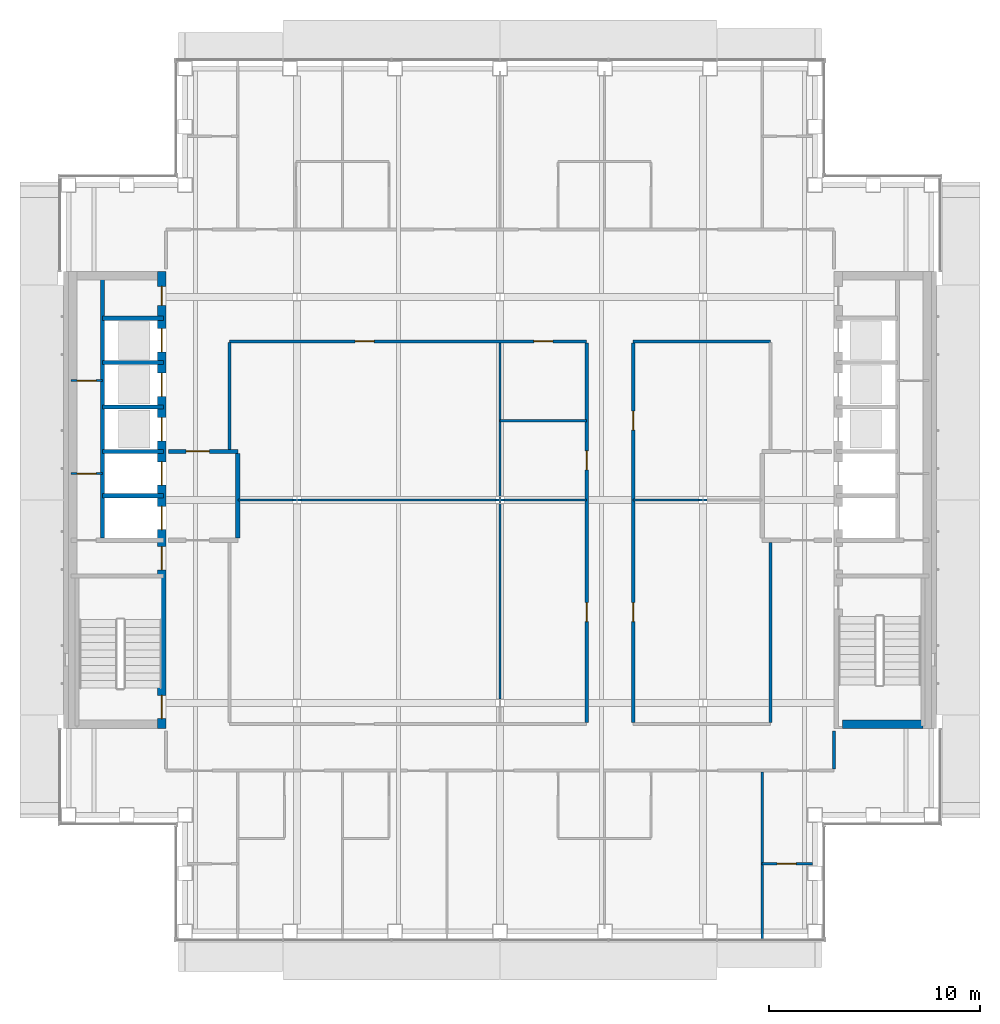
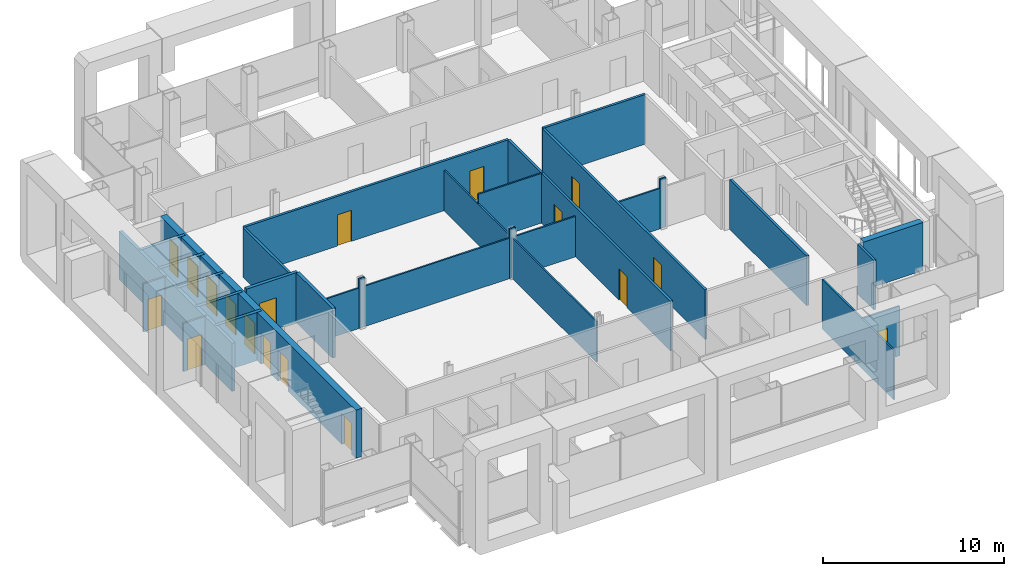
# One storey, part 10 of 19: 31 walls, 18 doors, 18 openings.
"""IFC4 building model written with IfcOpenShell, lengths in metres."""

from ifc_helpers import new_model, si_unit, direction, frame, frame_2d, origin, place, context, subcontext, project, spatial, rectangle, extrude, material, layer, layer_set, type_object, element, fill, save


model = new_model("IFC4")

# Units and contexts
model_context = context("Model", 3, precision=1e-05, world=origin(), true_north=direction((0.0, 1.0)))
body_context = subcontext(model_context, "Body", "Model", "MODEL_VIEW")
ifc_project = project(units=[si_unit("LENGTHUNIT", "METRE"), si_unit("AREAUNIT", "SQUARE_METRE"), si_unit("VOLUMEUNIT", "CUBIC_METRE"), si_unit("PLANEANGLEUNIT", "RADIAN"), si_unit("MASSUNIT", "GRAM", prefix="KILO")], contexts=[model_context])

# Site, building, storey
site_placement = place(None, origin())
site = spatial("IfcSite", under=ifc_project, at=site_placement, CompositionType="ELEMENT")
building_placement = place(site_placement, origin())
building = spatial("IfcBuilding", under=site, at=building_placement, Name="Cobrizo Arcos Hotel Tower", CompositionType="ELEMENT")
storey_placement = place(building_placement, frame((0.0, 0.0, 205.0)))
storey = spatial("IfcBuildingStorey", under=building, at=storey_placement, Name="L53", CompositionType="ELEMENT", Elevation=205.0)

# Wall, openings, doors
ifc_material_1 = material(Name="Gypsum board partition")
ifc_layer_1 = layer(ifc_material_1, 0.14990234375)
ifc_layer_set_1 = layer_set([ifc_layer_1], Name="Corridor wall EI 60 150")
wall_type_1 = type_object("IfcWallType", Name="Corridor wall EI 60 150", PredefinedType="PARTITIONING", material=ifc_layer_set_1)
wall_1_placement = place(storey_placement, frame((-12.800048828125, 7.5, 0.0), z_axis=(0.0, 0.0, 1.0), x_axis=(1.0, 0.0, 0.0)))
wall_1 = element("IfcWall", 1, at=wall_1_placement, inside=storey, type_object=wall_type_1, Name="Partition 038", PredefinedType="PARTITIONING", context=body_context, shape_type="SweptSolid", body=[
    extrude(rectangle(XDim=16.900146484375, YDim=0.14990234375, at=frame_2d((8.4501953125, 0.0))), origin(), (0.0, 0.0, 1.0), 3.35009765625),
])
opening_1_placement = place(wall_1_placement, frame((14.39990234375, 0.0, 0.0)))
opening_1 = element("IfcOpeningElement", 2, at=opening_1_placement, cuts=wall_1, Name="Opening ED-14", PredefinedType="OPENING", context=body_context, shape_type="SweptSolid", body=[
    extrude(rectangle(XDim=0.89990234375, YDim=2.10009765625, at=frame_2d((0.449951171875, 1.050048828125))), frame((0.0, 0.0869140625, 0.0), z_axis=(0.0, -1.0, 0.0), x_axis=(1.0, 0.0, 0.0)), (0.0, 0.0, 1.0), 0.173828125),
])
opening_2_placement = place(wall_1_placement, frame((5.949951171875, 0.0, 0.0)))
opening_2 = element("IfcOpeningElement", 3, at=opening_2_placement, cuts=wall_1, Name="Opening RD-12", PredefinedType="OPENING", context=body_context, shape_type="SweptSolid", body=[
    extrude(rectangle(XDim=0.89990234375, YDim=2.10009765625, at=frame_2d((0.449951171875, 1.050048828125))), frame((0.0, 0.0869140625, 0.0), z_axis=(0.0, -1.0, 0.0), x_axis=(1.0, 0.0, 0.0)), (0.0, 0.0, 1.0), 0.173828125),
])
ifc_material_2 = material(Name="Timber door leaf", Category="wood")
door_type_1 = type_object("IfcDoorType", Name="En-suite door 900x2100", OperationType="SINGLE_SWING_LEFT", PredefinedType="DOOR", material=ifc_material_2)
door_1_placement = place(opening_1_placement, origin())
door_1 = element("IfcDoor", 4, at=door_1_placement, inside=storey, type_object=door_type_1, Name="Door ED-14", OperationType="SINGLE_SWING_RIGHT", OverallHeight=2.10009765625, OverallWidth=0.89990234375, PredefinedType="DOOR", context=body_context, shape_type="SweptSolid", body=[
    extrude(rectangle(XDim=0.89990234375, YDim=2.10009765625, at=frame_2d((0.449951171875, 1.050048828125))), frame((0.0, 0.02490234375, 0.0), z_axis=(0.0, -1.0, 0.0), x_axis=(1.0, 0.0, 0.0)), (0.0, 0.0, 1.0), 0.050048828125),
])
fill(opening_1, door_1)
door_type_2 = type_object("IfcDoorType", Name="Room door FD30 900x2100", OperationType="SINGLE_SWING_LEFT", PredefinedType="DOOR", material=ifc_material_2)
door_2_placement = place(opening_2_placement, origin())
door_2 = element("IfcDoor", 5, at=door_2_placement, inside=storey, type_object=door_type_2, Name="Door RD-12", OperationType="SINGLE_SWING_RIGHT", OverallHeight=2.10009765625, OverallWidth=0.89990234375, PredefinedType="DOOR", context=body_context, shape_type="SweptSolid", body=[
    extrude(rectangle(XDim=0.89990234375, YDim=2.10009765625, at=frame_2d((0.449951171875, 1.050048828125))), frame((0.0, 0.02490234375, 0.0), z_axis=(0.0, -1.0, 0.0), x_axis=(1.0, 0.0, 0.0)), (0.0, 0.0, 1.0), 0.050048828125),
])
fill(opening_2, door_2)

# Walls
wall_2_placement = place(storey_placement, frame((6.300048828125, 7.5, 0.0), z_axis=(0.0, 0.0, 1.0), x_axis=(1.0, 0.0, 0.0)))
element("IfcWall", 6, at=wall_2_placement, inside=storey, type_object=wall_type_1, Name="Partition 039", PredefinedType="PARTITIONING", context=body_context, shape_type="SweptSolid", body=[
    extrude(rectangle(XDim=6.5, YDim=0.14990234375, at=frame_2d((3.25, 0.0))), origin(), (0.0, 0.0, 1.0), 3.35009765625),
])
wall_3_placement = place(storey_placement, frame((-12.800048828125, 2.39990234375, 0.0), z_axis=(0.0, 0.0, 1.0), x_axis=(0.0, 1.0, 0.0)))
element("IfcWall", 7, at=wall_3_placement, inside=storey, type_object=wall_type_1, Name="Partition 052", PredefinedType="PARTITIONING", context=body_context, shape_type="SweptSolid", body=[
    extrude(rectangle(XDim=5.050048828125, YDim=0.14990234375, at=frame_2d((2.52490234375, 0.0))), origin(), (0.0, 0.0, 1.0), 3.35009765625),
])

# Wall, openings, doors
wall_4_placement = place(storey_placement, frame((4.10009765625, -10.52490234375, 0.0), z_axis=(0.0, 0.0, 1.0), x_axis=(0.0, 1.0, 0.0)))
wall_4 = element("IfcWall", 8, at=wall_4_placement, inside=storey, type_object=wall_type_1, Name="Partition 071", PredefinedType="PARTITIONING", context=body_context, shape_type="SweptSolid", body=[
    extrude(rectangle(XDim=17.949951171875, YDim=0.14990234375, at=frame_2d((8.97509765625, 0.0))), origin(), (0.0, 0.0, 1.0), 3.35009765625),
])
opening_3_placement = place(wall_4_placement, frame((11.949951171875, 0.0, 0.0)))
opening_3 = element("IfcOpeningElement", 9, at=opening_3_placement, cuts=wall_4, Name="Opening ED-13", PredefinedType="OPENING", context=body_context, shape_type="SweptSolid", body=[
    extrude(rectangle(XDim=0.89990234375, YDim=2.10009765625, at=frame_2d((0.449951171875, 1.050048828125))), frame((0.0, 0.0869140625, 0.0), z_axis=(0.0, -1.0, 0.0), x_axis=(1.0, 0.0, 0.0)), (0.0, 0.0, 1.0), 0.173828125),
])
opening_4_placement = place(wall_4_placement, frame((4.77490234375, 0.0, 0.0)))
opening_4 = element("IfcOpeningElement", 10, at=opening_4_placement, cuts=wall_4, Name="Opening RD-09", PredefinedType="OPENING", context=body_context, shape_type="SweptSolid", body=[
    extrude(rectangle(XDim=0.89990234375, YDim=2.10009765625, at=frame_2d((0.449951171875, 1.050048828125))), frame((0.0, 0.0869140625, 0.0), z_axis=(0.0, -1.0, 0.0), x_axis=(1.0, 0.0, 0.0)), (0.0, 0.0, 1.0), 0.173828125),
])
door_3_placement = place(opening_3_placement, origin())
door_3 = element("IfcDoor", 11, at=door_3_placement, inside=storey, type_object=door_type_1, Name="Door ED-13", OperationType="SINGLE_SWING_RIGHT", OverallHeight=2.10009765625, OverallWidth=0.89990234375, PredefinedType="DOOR", context=body_context, shape_type="SweptSolid", body=[
    extrude(rectangle(XDim=0.89990234375, YDim=2.10009765625, at=frame_2d((0.449951171875, 1.050048828125))), frame((0.0, 0.02490234375, 0.0), z_axis=(0.0, -1.0, 0.0), x_axis=(1.0, 0.0, 0.0)), (0.0, 0.0, 1.0), 0.050048828125),
])
fill(opening_3, door_3)
door_4_placement = place(opening_4_placement, origin())
door_4 = element("IfcDoor", 12, at=door_4_placement, inside=storey, type_object=door_type_2, Name="Door RD-09", OperationType="SINGLE_SWING_RIGHT", OverallHeight=2.10009765625, OverallWidth=0.89990234375, PredefinedType="DOOR", context=body_context, shape_type="SweptSolid", body=[
    extrude(rectangle(XDim=0.89990234375, YDim=2.10009765625, at=frame_2d((0.449951171875, 1.050048828125))), frame((0.0, 0.02490234375, 0.0), z_axis=(0.0, -1.0, 0.0), x_axis=(1.0, 0.0, 0.0)), (0.0, 0.0, 1.0), 0.050048828125),
])
fill(opening_4, door_4)

wall_5_placement = place(storey_placement, frame((6.300048828125, -10.52490234375, 0.0), z_axis=(0.0, 0.0, 1.0), x_axis=(0.0, 1.0, 0.0)))
wall_5 = element("IfcWall", 13, at=wall_5_placement, inside=storey, type_object=wall_type_1, Name="Partition 076", PredefinedType="PARTITIONING", context=body_context, shape_type="SweptSolid", body=[
    extrude(rectangle(XDim=17.949951171875, YDim=0.14990234375, at=frame_2d((8.97509765625, 0.0))), origin(), (0.0, 0.0, 1.0), 3.35009765625),
])
opening_5_placement = place(wall_5_placement, frame((13.824951171875, 0.0, 0.0)))
opening_5 = element("IfcOpeningElement", 14, at=opening_5_placement, cuts=wall_5, Name="Opening RD-10", PredefinedType="OPENING", context=body_context, shape_type="SweptSolid", body=[
    extrude(rectangle(XDim=0.89990234375, YDim=2.10009765625, at=frame_2d((0.449951171875, 1.050048828125))), frame((0.0, 0.0869140625, 0.0), z_axis=(0.0, -1.0, 0.0), x_axis=(1.0, 0.0, 0.0)), (0.0, 0.0, 1.0), 0.173828125),
])
opening_6_placement = place(wall_5_placement, frame((4.77490234375, 0.0, 0.0)))
opening_6 = element("IfcOpeningElement", 15, at=opening_6_placement, cuts=wall_5, Name="Opening RD-11", PredefinedType="OPENING", context=body_context, shape_type="SweptSolid", body=[
    extrude(rectangle(XDim=0.89990234375, YDim=2.10009765625, at=frame_2d((0.449951171875, 1.050048828125))), frame((0.0, 0.0869140625, 0.0), z_axis=(0.0, -1.0, 0.0), x_axis=(1.0, 0.0, 0.0)), (0.0, 0.0, 1.0), 0.173828125),
])
door_5_placement = place(opening_5_placement, origin())
door_5 = element("IfcDoor", 16, at=door_5_placement, inside=storey, type_object=door_type_2, Name="Door RD-10", OperationType="SINGLE_SWING_RIGHT", OverallHeight=2.10009765625, OverallWidth=0.89990234375, PredefinedType="DOOR", context=body_context, shape_type="SweptSolid", body=[
    extrude(rectangle(XDim=0.89990234375, YDim=2.10009765625, at=frame_2d((0.449951171875, 1.050048828125))), frame((0.0, 0.02490234375, 0.0), z_axis=(0.0, -1.0, 0.0), x_axis=(1.0, 0.0, 0.0)), (0.0, 0.0, 1.0), 0.050048828125),
])
fill(opening_5, door_5)
door_6_placement = place(opening_6_placement, origin())
door_6 = element("IfcDoor", 17, at=door_6_placement, inside=storey, type_object=door_type_2, Name="Door RD-11", OperationType="SINGLE_SWING_LEFT", OverallHeight=2.10009765625, OverallWidth=0.89990234375, PredefinedType="DOOR", context=body_context, shape_type="SweptSolid", body=[
    extrude(rectangle(XDim=0.89990234375, YDim=2.10009765625, at=frame_2d((0.449951171875, 1.050048828125))), frame((0.0, 0.02490234375, 0.0), z_axis=(0.0, -1.0, 0.0), x_axis=(1.0, 0.0, 0.0)), (0.0, 0.0, 1.0), 0.050048828125),
])
fill(opening_6, door_6)

# Walls
wall_6_placement = place(storey_placement, frame((12.800048828125, -10.52490234375, 0.0), z_axis=(0.0, 0.0, 1.0), x_axis=(0.0, 1.0, 0.0)))
element("IfcWall", 18, at=wall_6_placement, inside=storey, type_object=wall_type_1, Name="Partition 082", PredefinedType="PARTITIONING", context=body_context, shape_type="SweptSolid", body=[
    extrude(rectangle(XDim=8.52490234375, YDim=0.14990234375, at=frame_2d((4.262451171875, 0.0))), origin(), (0.0, 0.0, 1.0), 3.35009765625),
])
wall_7_placement = place(storey_placement, frame((15.800048828125, -12.72509765625, 0.0), z_axis=(0.0, 0.0, 1.0), x_axis=(0.0, 1.0, 0.0)))
element("IfcWall", 19, at=wall_7_placement, inside=storey, type_object=wall_type_1, Name="Partition 084", PredefinedType="PARTITIONING", context=body_context, shape_type="SweptSolid", body=[
    extrude(rectangle(XDim=1.80517578125, YDim=0.14990234375, at=frame_2d((0.902587890625, 0.0))), origin(), (0.0, 0.0, 1.0), 3.35009765625),
])

# Wall, opening, door
ifc_layer_2 = layer(ifc_material_1, 0.10009765625)
ifc_layer_set_2 = layer_set([ifc_layer_2], Name="Partition EI 30 100")
wall_type_2 = type_object("IfcWallType", Name="Partition EI 30 100", PredefinedType="PARTITIONING", material=ifc_layer_set_2)
wall_8_placement = place(storey_placement, frame((12.39990234375, -17.199951171875, 0.0), z_axis=(0.0, 0.0, 1.0), x_axis=(1.0, 0.0, 0.0)))
wall_8 = element("IfcWall", 20, at=wall_8_placement, inside=storey, type_object=wall_type_2, Name="Partition 002", PredefinedType="PARTITIONING", context=body_context, shape_type="SweptSolid", body=[
    extrude(rectangle(XDim=2.380126953125, YDim=0.10009765625, at=frame_2d((1.18994140625, 0.0))), origin(), (0.0, 0.0, 1.0), 3.35009765625),
])
opening_7_placement = place(wall_8_placement, frame((0.705078125, 0.0, 0.0)))
opening_7 = element("IfcOpeningElement", 21, at=opening_7_placement, cuts=wall_8, Name="Opening ED-11", PredefinedType="OPENING", context=body_context, shape_type="SweptSolid", body=[
    extrude(rectangle(XDim=0.89990234375, YDim=2.10009765625, at=frame_2d((0.449951171875, 1.050048828125))), frame((0.0, 0.06201171875, 0.0), z_axis=(0.0, -1.0, 0.0), x_axis=(1.0, 0.0, 0.0)), (0.0, 0.0, 1.0), 0.1240234375),
])
door_7_placement = place(opening_7_placement, origin())
door_7 = element("IfcDoor", 22, at=door_7_placement, inside=storey, type_object=door_type_1, Name="Door ED-11", OperationType="SINGLE_SWING_LEFT", OverallHeight=2.10009765625, OverallWidth=0.89990234375, PredefinedType="DOOR", context=body_context, shape_type="SweptSolid", body=[
    extrude(rectangle(XDim=0.89990234375, YDim=2.10009765625, at=frame_2d((0.449951171875, 1.050048828125))), frame((0.0, 0.02490234375, 0.0), z_axis=(0.0, -1.0, 0.0), x_axis=(1.0, 0.0, 0.0)), (0.0, 0.0, 1.0), 0.050048828125),
])
fill(opening_7, door_7)

# Walls
wall_9_placement = place(storey_placement, frame((-12.39990234375, 0.0, 0.0), z_axis=(0.0, 0.0, 1.0), x_axis=(1.0, 0.0, 0.0)))
element("IfcWall", 23, at=wall_9_placement, inside=storey, type_object=wall_type_2, Name="Partition 015", PredefinedType="PARTITIONING", context=body_context, shape_type="SweptSolid", body=[
    extrude(rectangle(XDim=2.61279296875, YDim=0.10009765625, at=frame_2d((1.306396484375, 0.0))), origin(), (0.0, 0.0, 1.0), 2.72802734375),
])
wall_10_placement = place(storey_placement, frame((-9.787109375, 0.0, 0.0), z_axis=(0.0, 0.0, 1.0), x_axis=(1.0, 0.0, 0.0)))
element("IfcWall", 24, at=wall_10_placement, inside=storey, type_object=wall_type_2, Name="Partition 016", PredefinedType="PARTITIONING", context=body_context, shape_type="SweptSolid", body=[
    extrude(rectangle(XDim=0.3740234375, YDim=0.10009765625, at=frame_2d((0.18701171875, 0.0))), origin(), (0.0, 0.0, 1.0), 3.35009765625),
])
wall_11_placement = place(storey_placement, frame((-9.4130859375, 0.0, 0.0), z_axis=(0.0, 0.0, 1.0), x_axis=(1.0, 0.0, 0.0)))
element("IfcWall", 25, at=wall_11_placement, inside=storey, type_object=wall_type_2, Name="Partition 017", PredefinedType="PARTITIONING", context=body_context, shape_type="SweptSolid", body=[
    extrude(rectangle(XDim=9.22607421875, YDim=0.10009765625, at=frame_2d((4.613037109375, 0.0))), origin(), (0.0, 0.0, 1.0), 2.72802734375),
])
wall_12_placement = place(storey_placement, frame((-0.18701171875, 0.0, 0.0), z_axis=(0.0, 0.0, 1.0), x_axis=(1.0, 0.0, 0.0)))
element("IfcWall", 26, at=wall_12_placement, inside=storey, type_object=wall_type_2, Name="Partition 018", PredefinedType="PARTITIONING", context=body_context, shape_type="SweptSolid", body=[
    extrude(rectangle(XDim=0.3740234375, YDim=0.10009765625, at=frame_2d((0.18701171875, 0.0))), origin(), (0.0, 0.0, 1.0), 3.35009765625),
])
wall_13_placement = place(storey_placement, frame((0.18701171875, 0.0, 0.0), z_axis=(0.0, 0.0, 1.0), x_axis=(1.0, 0.0, 0.0)))
element("IfcWall", 27, at=wall_13_placement, inside=storey, type_object=wall_type_2, Name="Partition 019", PredefinedType="PARTITIONING", context=body_context, shape_type="SweptSolid", body=[
    extrude(rectangle(XDim=3.9130859375, YDim=0.10009765625, at=frame_2d((1.95654296875, 0.0))), origin(), (0.0, 0.0, 1.0), 2.72802734375),
])
wall_14_placement = place(storey_placement, frame((6.300048828125, 0.0, 0.0), z_axis=(0.0, 0.0, 1.0), x_axis=(1.0, 0.0, 0.0)))
element("IfcWall", 28, at=wall_14_placement, inside=storey, type_object=wall_type_2, Name="Partition 020", PredefinedType="PARTITIONING", context=body_context, shape_type="SweptSolid", body=[
    extrude(rectangle(XDim=3.113037109375, YDim=0.10009765625, at=frame_2d((1.556640625, 0.0))), origin(), (0.0, 0.0, 1.0), 2.72802734375),
])
wall_15_placement = place(storey_placement, frame((9.4130859375, 0.0, 0.0), z_axis=(0.0, 0.0, 1.0), x_axis=(1.0, 0.0, 0.0)))
element("IfcWall", 29, at=wall_15_placement, inside=storey, type_object=wall_type_2, Name="Partition 021", PredefinedType="PARTITIONING", context=body_context, shape_type="SweptSolid", body=[
    extrude(rectangle(XDim=0.3740234375, YDim=0.10009765625, at=frame_2d((0.18701171875, 0.0))), origin(), (0.0, 0.0, 1.0), 3.35009765625),
])

# Wall, opening, door
wall_16_placement = place(storey_placement, frame((-20.280029296875, 1.25, 0.0), z_axis=(0.0, 0.0, 1.0), x_axis=(1.0, 0.0, 0.0)))
wall_16 = element("IfcWall", 30, at=wall_16_placement, inside=storey, type_object=wall_type_2, Name="Partition 025", PredefinedType="PARTITIONING", context=body_context, shape_type="SweptSolid", body=[
    extrude(rectangle(XDim=1.47998046875, YDim=0.10009765625, at=frame_2d((0.739990234375, 0.0))), origin(), (0.0, 0.0, 1.0), 3.25),
])
opening_8_placement = place(wall_16_placement, frame((0.280029296875, 0.0, 0.0)))
opening_8 = element("IfcOpeningElement", 31, at=opening_8_placement, cuts=wall_16, Name="Opening RD-03", PredefinedType="OPENING", context=body_context, shape_type="SweptSolid", body=[
    extrude(rectangle(XDim=0.89990234375, YDim=2.10009765625, at=frame_2d((0.449951171875, 1.050048828125))), frame((0.0, 0.06201171875, 0.0), z_axis=(0.0, -1.0, 0.0), x_axis=(1.0, 0.0, 0.0)), (0.0, 0.0, 1.0), 0.1240234375),
])
door_8_placement = place(opening_8_placement, origin())
door_8 = element("IfcDoor", 32, at=door_8_placement, inside=storey, type_object=door_type_2, Name="Door RD-03", OperationType="SINGLE_SWING_RIGHT", OverallHeight=2.10009765625, OverallWidth=0.89990234375, PredefinedType="DOOR", context=body_context, shape_type="SweptSolid", body=[
    extrude(rectangle(XDim=0.89990234375, YDim=2.10009765625, at=frame_2d((0.449951171875, 1.050048828125))), frame((0.0, 0.02490234375, 0.0), z_axis=(0.0, -1.0, 0.0), x_axis=(1.0, 0.0, 0.0)), (0.0, 0.0, 1.0), 0.050048828125),
])
fill(opening_8, door_8)

# Wall
wall_17_placement = place(storey_placement, frame((0.0, 3.75, 0.0), z_axis=(0.0, 0.0, 1.0), x_axis=(1.0, 0.0, 0.0)))
element("IfcWall", 33, at=wall_17_placement, inside=storey, type_object=wall_type_2, Name="Partition 031", PredefinedType="PARTITIONING", context=body_context, shape_type="SweptSolid", body=[
    extrude(rectangle(XDim=4.10009765625, YDim=0.10009765625, at=frame_2d((2.050048828125, 0.0))), origin(), (0.0, 0.0, 1.0), 3.35009765625),
])

# Wall, opening, door
wall_18_placement = place(storey_placement, frame((-20.280029296875, 5.64990234375, 0.0), z_axis=(0.0, 0.0, 1.0), x_axis=(1.0, 0.0, 0.0)))
wall_18 = element("IfcWall", 34, at=wall_18_placement, inside=storey, type_object=wall_type_2, Name="Partition 034", PredefinedType="PARTITIONING", context=body_context, shape_type="SweptSolid", body=[
    extrude(rectangle(XDim=1.47998046875, YDim=0.10009765625, at=frame_2d((0.739990234375, 0.0))), origin(), (0.0, 0.0, 1.0), 3.25),
])
opening_9_placement = place(wall_18_placement, frame((0.280029296875, 0.0, 0.0)))
opening_9 = element("IfcOpeningElement", 35, at=opening_9_placement, cuts=wall_18, Name="Opening RD-04", PredefinedType="OPENING", context=body_context, shape_type="SweptSolid", body=[
    extrude(rectangle(XDim=0.89990234375, YDim=2.10009765625, at=frame_2d((0.449951171875, 1.050048828125))), frame((0.0, 0.06201171875, 0.0), z_axis=(0.0, -1.0, 0.0), x_axis=(1.0, 0.0, 0.0)), (0.0, 0.0, 1.0), 0.1240234375),
])
door_9_placement = place(opening_9_placement, origin())
door_9 = element("IfcDoor", 36, at=door_9_placement, inside=storey, type_object=door_type_2, Name="Door RD-04", OperationType="SINGLE_SWING_LEFT", OverallHeight=2.10009765625, OverallWidth=0.89990234375, PredefinedType="DOOR", context=body_context, shape_type="SweptSolid", body=[
    extrude(rectangle(XDim=0.89990234375, YDim=2.10009765625, at=frame_2d((0.449951171875, 1.050048828125))), frame((0.0, 0.02490234375, 0.0), z_axis=(0.0, -1.0, 0.0), x_axis=(1.0, 0.0, 0.0)), (0.0, 0.0, 1.0), 0.050048828125),
])
fill(opening_9, door_9)

# Walls
wall_19_placement = place(storey_placement, frame((0.0, -9.4130859375, 0.0), z_axis=(0.0, 0.0, 1.0), x_axis=(0.0, 1.0, 0.0)))
element("IfcWall", 37, at=wall_19_placement, inside=storey, type_object=wall_type_2, Name="Partition 066", PredefinedType="PARTITIONING", context=body_context, shape_type="SweptSolid", body=[
    extrude(rectangle(XDim=9.363037109375, YDim=0.10009765625, at=frame_2d((4.681640625, 0.0))), origin(), (0.0, 0.0, 1.0), 2.72802734375),
])
wall_20_placement = place(storey_placement, frame((0.0, 0.050048828125, 0.0), z_axis=(0.0, 0.0, 1.0), x_axis=(0.0, 1.0, 0.0)))
element("IfcWall", 38, at=wall_20_placement, inside=storey, type_object=wall_type_2, Name="Partition 067", PredefinedType="PARTITIONING", context=body_context, shape_type="SweptSolid", body=[
    extrude(rectangle(XDim=7.375, YDim=0.10009765625, at=frame_2d((3.6875, 0.0))), origin(), (0.0, 0.0, 1.0), 2.72802734375),
])
wall_21_placement = place(storey_placement, frame((12.39990234375, -20.780029296875, 0.0), z_axis=(0.0, 0.0, 1.0), x_axis=(0.0, 1.0, 0.0)))
element("IfcWall", 39, at=wall_21_placement, inside=storey, type_object=wall_type_2, Name="Partition 079", PredefinedType="PARTITIONING", context=body_context, shape_type="SweptSolid", body=[
    extrude(rectangle(XDim=7.905029296875, YDim=0.10009765625, at=frame_2d((3.95263671875, 0.0))), origin(), (0.0, 0.0, 1.0), 3.35009765625),
])
ifc_material_3 = material(Name="Concrete f'c 40 MPa", Category="concrete")
ifc_layer_3 = layer(ifc_material_3, 0.39990234375)
ifc_layer_set_3 = layer_set([ifc_layer_3], Name="RC core wall 400 f'c 40")
wall_type_3 = type_object("IfcWallType", Name="RC core wall 400 f'c 40", PredefinedType="SHEAR", material=ifc_layer_set_3)
wall_22_placement = place(storey_placement, frame((16.199951171875, -10.60009765625, 0.0), z_axis=(0.0, 0.0, 1.0), x_axis=(1.0, 0.0, 0.0)))
element("IfcWall", 40, at=wall_22_placement, inside=storey, type_object=wall_type_3, Name="Core wall CW4, east core, south end, L53", PredefinedType="SHEAR", context=body_context, shape_type="SweptSolid", body=[
    extrude(rectangle(XDim=3.800048828125, YDim=0.39990234375, at=frame_2d((1.89990234375, 0.0))), origin(), (0.0, 0.0, 1.0), 3.25),
])

# Wall, openings, doors
wall_23_placement = place(storey_placement, frame((-16.0, -10.800048828125, 0.0), z_axis=(0.0, 0.0, 1.0), x_axis=(0.0, 1.0, 0.0)))
wall_23 = element("IfcWall", 41, at=wall_23_placement, inside=storey, type_object=wall_type_3, Name="Core wall CW4, west core, inner face, L53", PredefinedType="SHEAR", context=body_context, shape_type="SweptSolid", body=[
    extrude(rectangle(XDim=21.60009765625, YDim=0.39990234375, at=frame_2d((10.800048828125, 0.0))), origin(), (0.0, 0.0, 1.0), 3.25),
])
opening_10_placement = place(wall_23_placement, frame((9.39990234375, 0.0, 0.0)))
opening_10 = element("IfcOpeningElement", 42, at=opening_10_placement, cuts=wall_23, Name="Opening LD-01", PredefinedType="OPENING", context=body_context, shape_type="SweptSolid", body=[
    extrude(rectangle(XDim=1.10009765625, YDim=2.10009765625, at=frame_2d((0.550048828125, 1.050048828125))), frame((0.0, 0.2119140625, 0.0), z_axis=(0.0, -1.0, 0.0), x_axis=(1.0, 0.0, 0.0)), (0.0, 0.0, 1.0), 0.423828125),
])
opening_11_placement = place(wall_23_placement, frame((11.5, 0.0, 0.0)))
opening_11 = element("IfcOpeningElement", 43, at=opening_11_placement, cuts=wall_23, Name="Opening LD-02", PredefinedType="OPENING", context=body_context, shape_type="SweptSolid", body=[
    extrude(rectangle(XDim=1.10009765625, YDim=2.10009765625, at=frame_2d((0.550048828125, 1.050048828125))), frame((0.0, 0.2119140625, 0.0), z_axis=(0.0, -1.0, 0.0), x_axis=(1.0, 0.0, 0.0)), (0.0, 0.0, 1.0), 0.423828125),
])
opening_12_placement = place(wall_23_placement, frame((13.60009765625, 0.0, 0.0)))
opening_12 = element("IfcOpeningElement", 44, at=opening_12_placement, cuts=wall_23, Name="Opening LD-03", PredefinedType="OPENING", context=body_context, shape_type="SweptSolid", body=[
    extrude(rectangle(XDim=1.10009765625, YDim=2.10009765625, at=frame_2d((0.550048828125, 1.050048828125))), frame((0.0, 0.2119140625, 0.0), z_axis=(0.0, -1.0, 0.0), x_axis=(1.0, 0.0, 0.0)), (0.0, 0.0, 1.0), 0.423828125),
])
opening_13_placement = place(wall_23_placement, frame((15.699951171875, 0.0, 0.0)))
opening_13 = element("IfcOpeningElement", 45, at=opening_13_placement, cuts=wall_23, Name="Opening LD-04", PredefinedType="OPENING", context=body_context, shape_type="SweptSolid", body=[
    extrude(rectangle(XDim=1.10009765625, YDim=2.10009765625, at=frame_2d((0.550048828125, 1.050048828125))), frame((0.0, 0.2119140625, 0.0), z_axis=(0.0, -1.0, 0.0), x_axis=(1.0, 0.0, 0.0)), (0.0, 0.0, 1.0), 0.423828125),
])
opening_14_placement = place(wall_23_placement, frame((17.800048828125, 0.0, 0.0)))
opening_14 = element("IfcOpeningElement", 46, at=opening_14_placement, cuts=wall_23, Name="Opening LD-05", PredefinedType="OPENING", context=body_context, shape_type="SweptSolid", body=[
    extrude(rectangle(XDim=1.10009765625, YDim=2.10009765625, at=frame_2d((0.550048828125, 1.050048828125))), frame((0.0, 0.2119140625, 0.0), z_axis=(0.0, -1.0, 0.0), x_axis=(1.0, 0.0, 0.0)), (0.0, 0.0, 1.0), 0.423828125),
])
opening_15_placement = place(wall_23_placement, frame((0.4580078125, 0.0, 0.0)))
opening_15 = element("IfcOpeningElement", 47, at=opening_15_placement, cuts=wall_23, Name="Opening SD-01", PredefinedType="OPENING", context=body_context, shape_type="SweptSolid", body=[
    extrude(rectangle(XDim=1.10009765625, YDim=2.10009765625, at=frame_2d((0.550048828125, 1.050048828125))), frame((0.0, 0.2119140625, 0.0), z_axis=(0.0, -1.0, 0.0), x_axis=(1.0, 0.0, 0.0)), (0.0, 0.0, 1.0), 0.423828125),
])
opening_16_placement = place(wall_23_placement, frame((7.5, 0.0, 0.0)))
opening_16 = element("IfcOpeningElement", 48, at=opening_16_placement, cuts=wall_23, Name="Opening FD-01", PredefinedType="OPENING", context=body_context, shape_type="SweptSolid", body=[
    extrude(rectangle(XDim=1.10009765625, YDim=2.10009765625, at=frame_2d((0.550048828125, 1.050048828125))), frame((0.0, 0.2119140625, 0.0), z_axis=(0.0, -1.0, 0.0), x_axis=(1.0, 0.0, 0.0)), (0.0, 0.0, 1.0), 0.423828125),
])
opening_17_placement = place(wall_23_placement, frame((20.0, 0.0, 0.0)))
opening_17 = element("IfcOpeningElement", 49, at=opening_17_placement, cuts=wall_23, Name="Opening RD-01", PredefinedType="OPENING", context=body_context, shape_type="SweptSolid", body=[
    extrude(rectangle(XDim=0.89990234375, YDim=2.10009765625, at=frame_2d((0.449951171875, 1.050048828125))), frame((0.0, 0.2119140625, 0.0), z_axis=(0.0, -1.0, 0.0), x_axis=(1.0, 0.0, 0.0)), (0.0, 0.0, 1.0), 0.423828125),
])
ifc_material_4 = material(Name="Steel door leaf", Category="steel")
door_type_3 = type_object("IfcDoorType", Name="Fire door FD60 1100x2100", OperationType="SINGLE_SWING_LEFT", PredefinedType="DOOR", material=ifc_material_4)
door_10_placement = place(opening_16_placement, origin())
door_10 = element("IfcDoor", 50, at=door_10_placement, inside=storey, type_object=door_type_3, Name="Door FD-01", OperationType="SINGLE_SWING_RIGHT", OverallHeight=2.10009765625, OverallWidth=1.10009765625, PredefinedType="DOOR", context=body_context, shape_type="SweptSolid", body=[
    extrude(rectangle(XDim=1.10009765625, YDim=2.10009765625, at=frame_2d((0.550048828125, 1.050048828125))), frame((0.0, 0.02490234375, 0.0), z_axis=(0.0, -1.0, 0.0), x_axis=(1.0, 0.0, 0.0)), (0.0, 0.0, 1.0), 0.050048828125),
])
fill(opening_16, door_10)
door_type_4 = type_object("IfcDoorType", Name="Lift landing door 1100x2100", OperationType="SLIDING_TO_LEFT", PredefinedType="DOOR", material=ifc_material_4)
door_11_placement = place(opening_10_placement, origin())
door_11 = element("IfcDoor", 51, at=door_11_placement, inside=storey, type_object=door_type_4, Name="Lift landing door LD-01", OperationType="SLIDING_TO_LEFT", OverallHeight=2.10009765625, OverallWidth=1.10009765625, PredefinedType="DOOR", context=body_context, shape_type="SweptSolid", body=[
    extrude(rectangle(XDim=1.10009765625, YDim=2.10009765625, at=frame_2d((0.550048828125, 1.050048828125))), frame((0.0, 0.02490234375, 0.0), z_axis=(0.0, -1.0, 0.0), x_axis=(1.0, 0.0, 0.0)), (0.0, 0.0, 1.0), 0.050048828125),
])
fill(opening_10, door_11)
door_12_placement = place(opening_11_placement, origin())
door_12 = element("IfcDoor", 52, at=door_12_placement, inside=storey, type_object=door_type_4, Name="Lift landing door LD-02", OperationType="SLIDING_TO_LEFT", OverallHeight=2.10009765625, OverallWidth=1.10009765625, PredefinedType="DOOR", context=body_context, shape_type="SweptSolid", body=[
    extrude(rectangle(XDim=1.10009765625, YDim=2.10009765625, at=frame_2d((0.550048828125, 1.050048828125))), frame((0.0, 0.02490234375, 0.0), z_axis=(0.0, -1.0, 0.0), x_axis=(1.0, 0.0, 0.0)), (0.0, 0.0, 1.0), 0.050048828125),
])
fill(opening_11, door_12)
door_13_placement = place(opening_12_placement, origin())
door_13 = element("IfcDoor", 53, at=door_13_placement, inside=storey, type_object=door_type_4, Name="Lift landing door LD-03", OperationType="SLIDING_TO_LEFT", OverallHeight=2.10009765625, OverallWidth=1.10009765625, PredefinedType="DOOR", context=body_context, shape_type="SweptSolid", body=[
    extrude(rectangle(XDim=1.10009765625, YDim=2.10009765625, at=frame_2d((0.550048828125, 1.050048828125))), frame((0.0, 0.02490234375, 0.0), z_axis=(0.0, -1.0, 0.0), x_axis=(1.0, 0.0, 0.0)), (0.0, 0.0, 1.0), 0.050048828125),
])
fill(opening_12, door_13)
door_14_placement = place(opening_13_placement, origin())
door_14 = element("IfcDoor", 54, at=door_14_placement, inside=storey, type_object=door_type_4, Name="Lift landing door LD-04", OperationType="SLIDING_TO_LEFT", OverallHeight=2.10009765625, OverallWidth=1.10009765625, PredefinedType="DOOR", context=body_context, shape_type="SweptSolid", body=[
    extrude(rectangle(XDim=1.10009765625, YDim=2.10009765625, at=frame_2d((0.550048828125, 1.050048828125))), frame((0.0, 0.02490234375, 0.0), z_axis=(0.0, -1.0, 0.0), x_axis=(1.0, 0.0, 0.0)), (0.0, 0.0, 1.0), 0.050048828125),
])
fill(opening_13, door_14)
door_15_placement = place(opening_14_placement, origin())
door_15 = element("IfcDoor", 55, at=door_15_placement, inside=storey, type_object=door_type_4, Name="Lift landing door LD-05", OperationType="SLIDING_TO_LEFT", OverallHeight=2.10009765625, OverallWidth=1.10009765625, PredefinedType="DOOR", context=body_context, shape_type="SweptSolid", body=[
    extrude(rectangle(XDim=1.10009765625, YDim=2.10009765625, at=frame_2d((0.550048828125, 1.050048828125))), frame((0.0, 0.02490234375, 0.0), z_axis=(0.0, -1.0, 0.0), x_axis=(1.0, 0.0, 0.0)), (0.0, 0.0, 1.0), 0.050048828125),
])
fill(opening_14, door_15)
door_16_placement = place(opening_17_placement, origin())
door_16 = element("IfcDoor", 56, at=door_16_placement, inside=storey, type_object=door_type_2, Name="Door RD-01", OperationType="SINGLE_SWING_RIGHT", OverallHeight=2.10009765625, OverallWidth=0.89990234375, PredefinedType="DOOR", context=body_context, shape_type="SweptSolid", body=[
    extrude(rectangle(XDim=0.89990234375, YDim=2.10009765625, at=frame_2d((0.449951171875, 1.050048828125))), frame((0.0, 0.02490234375, 0.0), z_axis=(0.0, -1.0, 0.0), x_axis=(1.0, 0.0, 0.0)), (0.0, 0.0, 1.0), 0.050048828125),
])
fill(opening_17, door_16)
door_type_5 = type_object("IfcDoorType", Name="Stair door FD60S 1100x2100", OperationType="SINGLE_SWING_LEFT", PredefinedType="DOOR", material=ifc_material_4)
door_17_placement = place(opening_15_placement, origin())
door_17 = element("IfcDoor", 57, at=door_17_placement, inside=storey, type_object=door_type_5, Name="Door SD-01", OperationType="SINGLE_SWING_RIGHT", OverallHeight=2.10009765625, OverallWidth=1.10009765625, PredefinedType="DOOR", context=body_context, shape_type="SweptSolid", body=[
    extrude(rectangle(XDim=1.10009765625, YDim=2.10009765625, at=frame_2d((0.550048828125, 1.050048828125))), frame((0.0, 0.02490234375, 0.0), z_axis=(0.0, -1.0, 0.0), x_axis=(1.0, 0.0, 0.0)), (0.0, 0.0, 1.0), 0.050048828125),
])
fill(opening_15, door_17)

# Walls
ifc_layer_4 = layer(ifc_material_1, 0.199951171875)
ifc_layer_set_4 = layer_set([ifc_layer_4], Name="Shaft wall EI 120 200")
wall_type_4 = type_object("IfcWallType", Name="Shaft wall EI 120 200", PredefinedType="PARTITIONING", material=ifc_layer_set_4)
for number, where, z_axis, x_axis, name in (
    (58, (-18.800048828125, 0.199951171875, 0.0), (0.0, 0.0, 1.0), (1.0, 0.0, 0.0), "Partition 023"),
    (59, (-18.800048828125, 2.300048828125, 0.0), (0.0, 0.0, 1.0), (1.0, 0.0, 0.0), "Partition 027"),
):
    element("IfcWall", number, at=place(storey_placement, frame(where, z_axis=z_axis, x_axis=x_axis)), inside=storey, type_object=wall_type_4, Name=name, PredefinedType="PARTITIONING", context=body_context, shape_type="SweptSolid", body=[
        extrude(rectangle(XDim=2.880126953125, YDim=0.199951171875, at=frame_2d((1.43994140625, 0.0))), origin(), (0.0, 0.0, 1.0), 3.25),
    ])

# Wall, opening, door
wall_24_placement = place(storey_placement, frame((-15.679931640625, 2.300048828125, 0.0), z_axis=(0.0, 0.0, 1.0), x_axis=(1.0, 0.0, 0.0)))
wall_24 = element("IfcWall", 60, at=wall_24_placement, inside=storey, type_object=wall_type_4, Name="Partition 028", PredefinedType="PARTITIONING", context=body_context, shape_type="SweptSolid", body=[
    extrude(rectangle(XDim=3.280029296875, YDim=0.199951171875, at=frame_2d((1.64013671875, 0.0))), origin(), (0.0, 0.0, 1.0), 3.35009765625),
])
opening_18_placement = place(wall_24_placement, frame((0.840087890625, 0.0, 0.0)))
opening_18 = element("IfcOpeningElement", 61, at=opening_18_placement, cuts=wall_24, Name="Opening FD-02", PredefinedType="OPENING", context=body_context, shape_type="SweptSolid", body=[
    extrude(rectangle(XDim=1.10009765625, YDim=2.10009765625, at=frame_2d((0.550048828125, 1.050048828125))), frame((0.0, 0.112060546875, 0.0), z_axis=(0.0, -1.0, 0.0), x_axis=(1.0, 0.0, 0.0)), (0.0, 0.0, 1.0), 0.223876953125),
])
door_18_placement = place(opening_18_placement, origin())
door_18 = element("IfcDoor", 62, at=door_18_placement, inside=storey, type_object=door_type_3, Name="Door FD-02", OperationType="SINGLE_SWING_LEFT", OverallHeight=2.10009765625, OverallWidth=1.10009765625, PredefinedType="DOOR", context=body_context, shape_type="SweptSolid", body=[
    extrude(rectangle(XDim=1.10009765625, YDim=2.10009765625, at=frame_2d((0.550048828125, 1.050048828125))), frame((0.0, 0.02490234375, 0.0), z_axis=(0.0, -1.0, 0.0), x_axis=(1.0, 0.0, 0.0)), (0.0, 0.0, 1.0), 0.050048828125),
])
fill(opening_18, door_18)

# Walls
for number, where, z_axis, x_axis, name in (
    (63, (-18.800048828125, 4.39990234375, 0.0), (0.0, 0.0, 1.0), (1.0, 0.0, 0.0), "Partition 032"),
    (64, (-18.800048828125, 6.5, 0.0), (0.0, 0.0, 1.0), (1.0, 0.0, 0.0), "Partition 036"),
    (65, (-18.800048828125, 8.60009765625, 0.0), (0.0, 0.0, 1.0), (1.0, 0.0, 0.0), "Partition 040"),
):
    element("IfcWall", number, at=place(storey_placement, frame(where, z_axis=z_axis, x_axis=x_axis)), inside=storey, type_object=wall_type_4, Name=name, PredefinedType="PARTITIONING", context=body_context, shape_type="SweptSolid", body=[
        extrude(rectangle(XDim=2.880126953125, YDim=0.199951171875, at=frame_2d((1.43994140625, 0.0))), origin(), (0.0, 0.0, 1.0), 3.25),
    ])
wall_25_placement = place(storey_placement, frame((-18.800048828125, -1.800048828125, 0.0), z_axis=(0.0, 0.0, 1.0), x_axis=(0.0, 1.0, 0.0)))
element("IfcWall", 66, at=wall_25_placement, inside=storey, type_object=wall_type_4, Name="Partition 048", PredefinedType="PARTITIONING", context=body_context, shape_type="SweptSolid", body=[
    extrude(rectangle(XDim=12.47998046875, YDim=0.199951171875, at=frame_2d((6.239990234375, 0.0))), origin(), (0.0, 0.0, 1.0), 3.25),
])
wall_26_placement = place(storey_placement, frame((-12.39990234375, -1.800048828125, 0.0), z_axis=(0.0, 0.0, 1.0), x_axis=(0.0, 1.0, 0.0)))
element("IfcWall", 67, at=wall_26_placement, inside=storey, type_object=wall_type_4, Name="Partition 054", PredefinedType="PARTITIONING", context=body_context, shape_type="SweptSolid", body=[
    extrude(rectangle(XDim=4.0, YDim=0.199951171875, at=frame_2d((2.0, 0.0))), origin(), (0.0, 0.0, 1.0), 3.35009765625),
])

save(model, "model.ifc")
